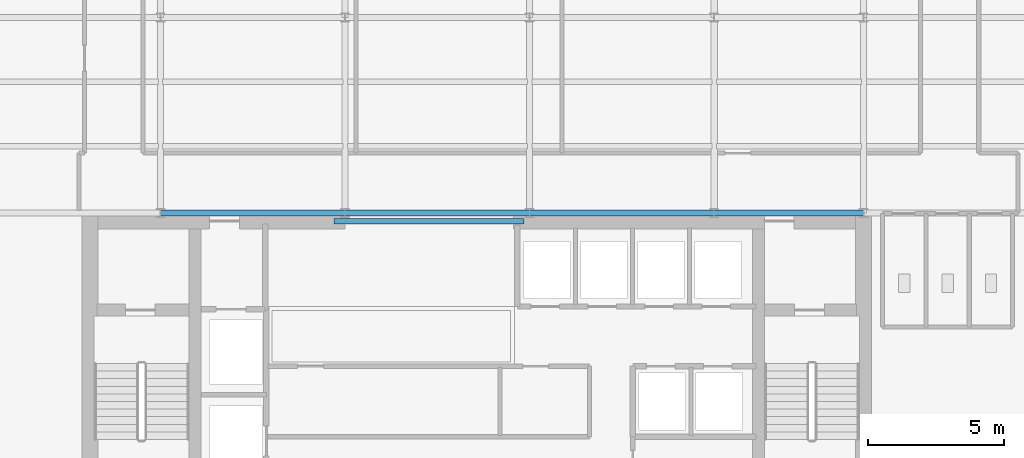
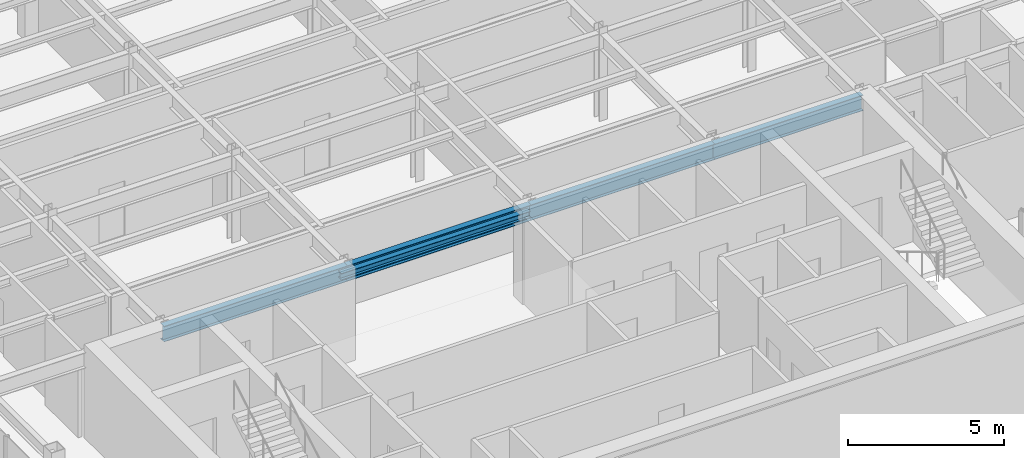
# One storey, part 4 of 22: 5 beams.
"""IFC4 building model written with IfcOpenShell, lengths in metres."""

from ifc_helpers import new_model, si_unit, derived_unit, direction, frame, origin, origin_2d, place, context, subcontext, project, spatial, i_section, extrude, source, transform, mapped, material, material_profile, profile_set, type_object, element, save


model = new_model("IFC4")

# Units and contexts
model_context = context("Model", 3, precision=1e-05, world=origin(), true_north=direction((0.0, 1.0)))
body_context = subcontext(model_context, "Body", "Model", "MODEL_VIEW")
ifc_project = project(units=[si_unit("LENGTHUNIT", "METRE"), si_unit("AREAUNIT", "SQUARE_METRE"), si_unit("VOLUMEUNIT", "CUBIC_METRE"), si_unit("PLANEANGLEUNIT", "RADIAN"), si_unit("MASSUNIT", "GRAM", prefix="KILO"), derived_unit("THERMALTRANSMITTANCEUNIT", [(si_unit("POWERUNIT", "WATT"), 1), (si_unit("LENGTHUNIT", "METRE"), -2), (si_unit("THERMODYNAMICTEMPERATUREUNIT", "KELVIN"), -1)])], contexts=[model_context])

# Site, building, storey
site_placement = place(None, origin())
site = spatial("IfcSite", under=ifc_project, at=site_placement, CompositionType="ELEMENT")
building_placement = place(site_placement, origin())
building = spatial("IfcBuilding", under=site, at=building_placement, Name="Skarnbrae Concourse Arena and Tower", CompositionType="ELEMENT")
storey_placement = place(building_placement, frame((0.0, 0.0, 273.39990234375)))
storey = spatial("IfcBuildingStorey", under=building, at=storey_placement, Name="L71", CompositionType="ELEMENT", Elevation=273.39990234375)

# Beams
ifc_material = material(Name="Steel CSA G40.21 350W", Category="steel")
ifc_material_profile_1 = material_profile(ifc_material, i_section(OverallWidth=0.202880859375, OverallDepth=0.251953125, WebThickness=0.008056640625, FlangeThickness=0.013427734375, at=origin_2d()), Name="W250X58")
ifc_profile_set_1 = profile_set([ifc_material_profile_1], Name="Steel CSA G40.21 350W")
beam_type_1 = type_object("IfcBeamType", Name="BM-LINTEL-W250X58", PredefinedType="LINTEL", material=ifc_profile_set_1)
shared_shape_1 = source(origin(), body_context, "Body", "SweptSolid", [
    extrude(i_section(OverallWidth=0.202880859375, OverallDepth=0.251953125, WebThickness=0.008056640625, FlangeThickness=0.013427734375, at=origin_2d()), origin(), (0.0, 0.0, 1.0), 7.0),
])
beam_1_placement = place(storey_placement, frame((14.0, 13.699951171875, 3.274169921875), z_axis=(1.0, 0.0, 0.0), x_axis=(0.0, 1.0, 0.0)))
element("IfcBeam", 1, at=beam_1_placement, inside=storey, type_object=beam_type_1, Name="L71 Core portal coupling lintel", PredefinedType="LINTEL", context=body_context, shape_type="MappedRepresentation", body=[
    mapped(shared_shape_1, transform((0.0, 0.0, 0.0))),
])
ifc_material_profile_2 = material_profile(ifc_material, i_section(OverallWidth=0.22802734375, OverallDepth=0.60791015625, WebThickness=0.01123046875, FlangeThickness=0.017333984375, at=origin_2d()), Name="W610X113")
ifc_profile_set_2 = profile_set([ifc_material_profile_2], Name="Steel CSA G40.21 350W")
beam_type_2 = type_object("IfcBeamType", Name="BM-GIRD-W610X113", PredefinedType="BEAM", material=ifc_profile_set_2)
shared_shape_2 = source(origin(), body_context, "Body", "SweptSolid", [
    extrude(i_section(OverallWidth=0.22802734375, OverallDepth=0.60791015625, WebThickness=0.01123046875, FlangeThickness=0.017333984375, at=origin_2d()), origin(), (0.0, 0.0, 1.0), 6.7998046875),
])
beam_2_placement = place(storey_placement, frame((7.60009765625, 14.0, 3.09619140625), z_axis=(1.0, 0.0, 0.0), x_axis=(0.0, 1.0, 0.0)))
element("IfcBeam", 2, at=beam_2_placement, inside=storey, type_object=beam_type_2, Name="L71 Primary E-W girder Y14.0-2", PredefinedType="BEAM", context=body_context, shape_type="MappedRepresentation", body=[
    mapped(shared_shape_2, transform((0.0, 0.0, 0.0))),
])
shared_shape_3 = source(origin(), body_context, "Body", "SweptSolid", [
    extrude(i_section(OverallWidth=0.22802734375, OverallDepth=0.60791015625, WebThickness=0.01123046875, FlangeThickness=0.017333984375, at=origin_2d()), origin(), (0.0, 0.0, 1.0), 6.800048828125),
])
for number, where, z_axis, x_axis, name in (
    (3, (14.39990234375, 14.0, 3.09619140625), (1.0, 0.0, 0.0), (0.0, 1.0, 0.0), "L71 Primary E-W girder Y14.0-3"),
    (4, (21.199951171875, 14.0, 3.09619140625), (1.0, 0.0, 0.0), (0.0, 1.0, 0.0), "L71 Primary E-W girder Y14.0-4"),
):
    element("IfcBeam", number, at=place(storey_placement, frame(where, z_axis=z_axis, x_axis=x_axis)), inside=storey, type_object=beam_type_2, Name=name, PredefinedType="BEAM", context=body_context, shape_type="MappedRepresentation", body=[
        mapped(shared_shape_3, transform((0.0, 0.0, 0.0))),
    ])
shared_shape_4 = source(origin(), body_context, "Body", "SweptSolid", [
    extrude(i_section(OverallWidth=0.22802734375, OverallDepth=0.60791015625, WebThickness=0.01123046875, FlangeThickness=0.017333984375, at=origin_2d()), origin(), (0.0, 0.0, 1.0), 5.5),
])
beam_3_placement = place(storey_placement, frame((28.0, 14.0, 3.09619140625), z_axis=(1.0, 0.0, 0.0), x_axis=(0.0, 1.0, 0.0)))
element("IfcBeam", 5, at=beam_3_placement, inside=storey, type_object=beam_type_2, Name="L71 Primary E-W girder Y14.0-5", PredefinedType="BEAM", context=body_context, shape_type="MappedRepresentation", body=[
    mapped(shared_shape_4, transform((0.0, 0.0, 0.0))),
])

save(model, "model.ifc")
